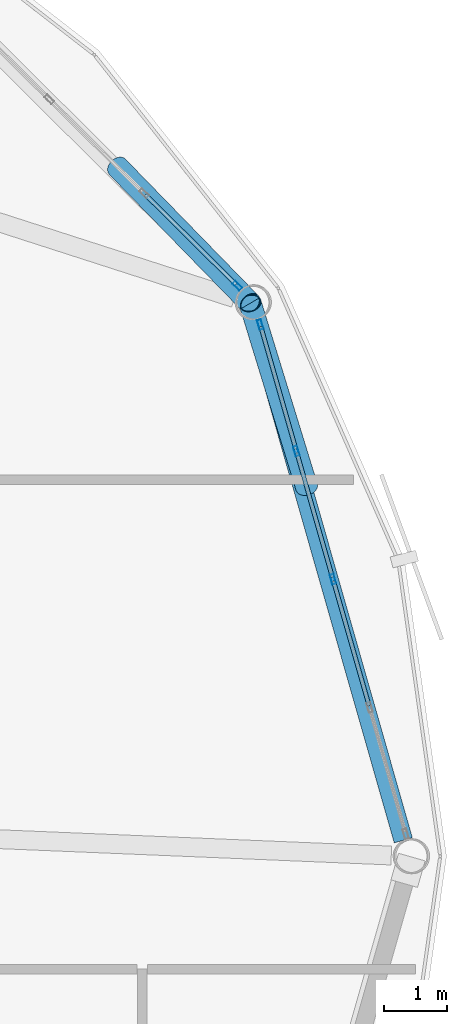
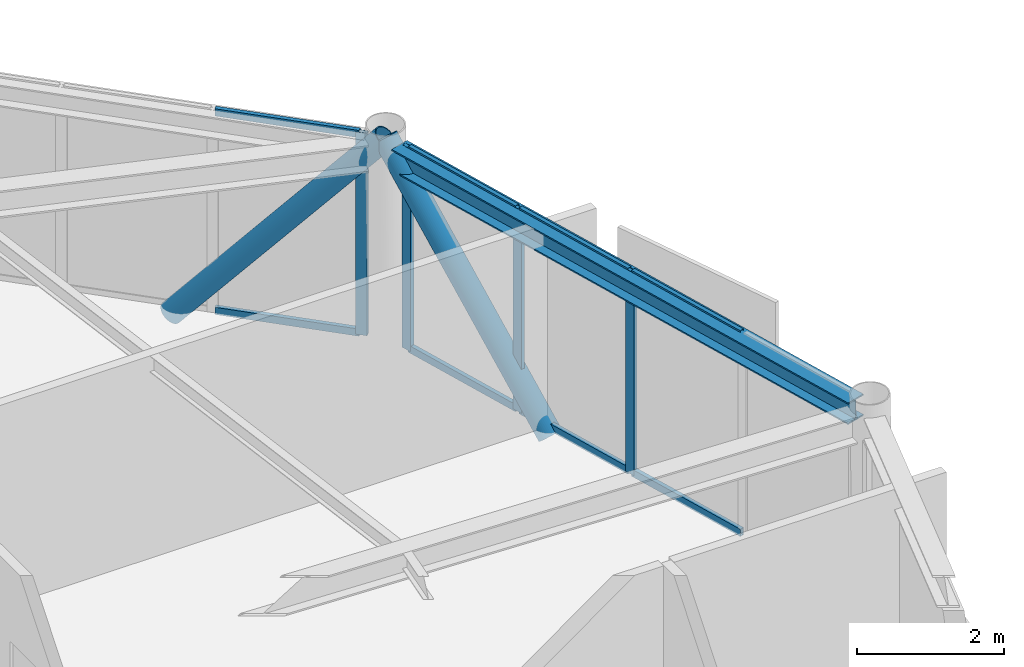
# One storey, part 15 of 25: 14 members, 1 beam, 2 elements without a shape of their own.
"""IFC4 building model written with IfcOpenShell, lengths in metres."""

from ifc_helpers import new_model, si_unit, direction, frame, origin, origin_2d, place, context, subcontext, project, spatial, hollow_rectangle, hollow_circle, i_section, extrude, material, layer, layer_set, material_profile, profile_set, type_object, element, aggregate, save


model = new_model("IFC4")

# Units and contexts
model_context = context("Model", 3, precision=1e-05, world=origin(), true_north=direction((0.0, 1.0)))
body_context = subcontext(model_context, "Body", "Model", "MODEL_VIEW")
ifc_project = project(units=[si_unit("LENGTHUNIT", "METRE"), si_unit("AREAUNIT", "SQUARE_METRE"), si_unit("VOLUMEUNIT", "CUBIC_METRE"), si_unit("PLANEANGLEUNIT", "RADIAN"), si_unit("MASSUNIT", "GRAM", prefix="KILO")], contexts=[model_context])

# Site, building, storey
site_placement = place(None, origin())
site = spatial("IfcSite", under=ifc_project, at=site_placement, CompositionType="ELEMENT")
building_placement = place(site_placement, origin())
building = spatial("IfcBuilding", under=site, at=building_placement, Name="Varnakorn Sky Granary", CompositionType="ELEMENT")
storey_placement = place(building_placement, frame((0.0, 0.0, 277.800048828125)))
storey = spatial("IfcBuildingStorey", under=building, at=storey_placement, Name="L71", CompositionType="ELEMENT", Elevation=277.800048828125)

# Beam
ifc_material_1 = material(Name="Steel S355JR", Category="steel")
ifc_material_profile_1 = material_profile(ifc_material_1, i_section(OverallWidth=0.300048828125, OverallDepth=0.360107421875, WebThickness=0.012451171875, FlangeThickness=0.0224609375, at=origin_2d()), Name="HE 360 B")
ifc_profile_set_1 = profile_set([ifc_material_profile_1], Name="Steel S355JR")
beam_type = type_object("IfcBeamType", Name="BM-SPD-Z5", PredefinedType="SPANDREL", material=ifc_profile_set_1)
beam_placement = place(storey_placement, frame((22.66259765625, 0.25439453125, 3.179931640625), z_axis=(-0.274138779238, 0.961690142259, 0.0), x_axis=(-0.961690142259, -0.274138779238, 0.0)))
element("IfcBeam", 1, at=beam_placement, inside=storey, type_object=beam_type, Name="Perimeter Spandrel Ring Beam RB01 L71", PredefinedType="SPANDREL", context=body_context, shape_type="SweptSolid", body=[
    extrude(i_section(OverallWidth=0.300048828125, OverallDepth=0.360107421875, WebThickness=0.012451171875, FlangeThickness=0.0224609375, at=origin_2d()), origin(), (0.0, 0.0, 1.0), 8.638671875),
])

# Curtain wall, members
ifc_material_2 = material(Name="Anodised Bronze Aluminium Alloy 6063-T6", Category="aluminium")
ifc_layer = layer(ifc_material_2, 0.159912109375, Name="Anodised Bronze Aluminium Alloy 6063-T6")
ifc_layer_set = layer_set([ifc_layer], Name="Anodised Bronze Aluminium Alloy 6063-T6")
curtain_wall_type = type_object("IfcCurtainWallType", Name="CW-OFF-1", PredefinedType="USERDEFINED", material=ifc_layer_set)
curtain_wall_1_placement = place(storey_placement, origin())
curtain_wall_1 = element("IfcCurtainWall", 2, at=curtain_wall_1_placement, inside=storey, type_object=curtain_wall_type, Name="Unitised Curtain Wall CW6 CW-L71-B01", ObjectType="CURTAIN WALL", PredefinedType="USERDEFINED")
ifc_material_profile_2 = material_profile(ifc_material_2, hollow_rectangle(XDim=0.06494140625, YDim=0.159912109375, WallThickness=0.00341796875, at=origin_2d()), Name="ALU MULL 65x160")
ifc_profile_set_2 = profile_set([ifc_material_profile_2], Name="Anodised Bronze Aluminium Alloy 6063-T6")
member_type_1 = type_object("IfcMemberType", Name="CW-OFF-1-MULL", PredefinedType="MULLION", material=ifc_profile_set_2)
member_1_placement = place(storey_placement, frame((20.3828125, 8.475830078125, 0.0), z_axis=(0.0, 0.0, 1.0), x_axis=(0.961570064627, 0.274559667128, 0.0)))
member_1 = element("IfcMember", 3, at=member_1_placement, type_object=member_type_1, Name="CW6 mullion 1", PredefinedType="MULLION", context=body_context, shape_type="SweptSolid", body=[
    extrude(hollow_rectangle(XDim=0.06494140625, YDim=0.159912109375, WallThickness=0.00341796875, at=origin_2d()), origin(), (0.0, 0.0, 1.0), 3.35986328125),
])
member_2_placement = place(storey_placement, frame((20.9580078125, 6.4619140625, 0.0), z_axis=(0.0, 0.0, 1.0), x_axis=(0.961570064627, 0.274559667128, 0.0)))
member_2 = element("IfcMember", 4, at=member_2_placement, type_object=member_type_1, Name="CW6 mullion 2", PredefinedType="MULLION", context=body_context, shape_type="SweptSolid", body=[
    extrude(hollow_rectangle(XDim=0.06494140625, YDim=0.159912109375, WallThickness=0.00341796875, at=origin_2d()), origin(), (0.0, 0.0, 1.0), 3.35986328125),
])
member_3_placement = place(storey_placement, frame((21.5419921875, 4.416748046875, 0.0), z_axis=(0.0, 0.0, 1.0), x_axis=(0.961570064627, 0.274559667128, 0.0)))
member_3 = element("IfcMember", 5, at=member_3_placement, type_object=member_type_1, Name="CW6 mullion 3", PredefinedType="MULLION", context=body_context, shape_type="SweptSolid", body=[
    extrude(hollow_rectangle(XDim=0.06494140625, YDim=0.159912109375, WallThickness=0.00341796875, at=origin_2d()), origin(), (0.0, 0.0, 1.0), 3.35986328125),
])

# Curtain wall, member
curtain_wall_2_placement = place(storey_placement, origin())
curtain_wall_2 = element("IfcCurtainWall", 6, at=curtain_wall_2_placement, inside=storey, type_object=curtain_wall_type, Name="Unitised Curtain Wall CW6 CW-L71-B02", ObjectType="CURTAIN WALL", PredefinedType="USERDEFINED")
member_4_placement = place(storey_placement, frame((20.0166015625, 9.095458984375, 0.0), z_axis=(0.0, 0.0, 1.0), x_axis=(0.704102293926, 0.71009855632, 0.0)))
member_4 = element("IfcMember", 7, at=member_4_placement, type_object=member_type_1, Name="CW6 mullion 5", PredefinedType="MULLION", context=body_context, shape_type="SweptSolid", body=[
    extrude(hollow_rectangle(XDim=0.06494140625, YDim=0.159912109375, WallThickness=0.00341796875, at=origin_2d()), origin(), (0.0, 0.0, 1.0), 3.35986328125),
])

# Member
ifc_material_profile_3 = material_profile(ifc_material_2, hollow_rectangle(XDim=0.06494140625, YDim=0.1201171875, WallThickness=0.00341796875, at=origin_2d()), Name="ALU TRAN 65x120")
ifc_profile_set_3 = profile_set([ifc_material_profile_3], Name="Anodised Bronze Aluminium Alloy 6063-T6")
member_type_2 = type_object("IfcMemberType", Name="CW-OFF-1-TRAN", PredefinedType="USERDEFINED", material=ifc_profile_set_3)
member_5_placement = place(storey_placement, frame((20.391845703125, 8.444580078125, 0.032470703125), z_axis=(0.274530454279, -0.96157840537, 0.0), x_axis=(0.96157840537, 0.274530454279, 0.0)))
member_5 = element("IfcMember", 8, at=member_5_placement, type_object=member_type_2, Name="CW6 transom 1.1", ObjectType="TRANSOM", PredefinedType="USERDEFINED", context=body_context, shape_type="SweptSolid", body=[
    extrude(hollow_rectangle(XDim=0.06494140625, YDim=0.1201171875, WallThickness=0.00341796875, at=origin_2d()), origin(), (0.0, 0.0, 1.0), 2.029296875),
])

member_6_placement = place(storey_placement, frame((20.391845703125, 8.444580078125, 3.327392578125), z_axis=(0.274530454279, -0.96157840537, 0.0), x_axis=(0.96157840537, 0.274530454279, 0.0)))
member_6 = element("IfcMember", 9, at=member_6_placement, type_object=member_type_2, Name="CW6 transom 1.2", ObjectType="TRANSOM", PredefinedType="USERDEFINED", context=body_context, shape_type="SweptSolid", body=[
    extrude(hollow_rectangle(XDim=0.06494140625, YDim=0.1201171875, WallThickness=0.00341796875, at=origin_2d()), origin(), (0.0, 0.0, 1.0), 2.029296875),
])

member_7_placement = place(storey_placement, frame((20.966796875, 6.4306640625, 0.032470703125), z_axis=(0.274580379806, -0.961564150239, 0.0), x_axis=(0.961564150239, 0.274580379806, 0.0)))
member_7 = element("IfcMember", 10, at=member_7_placement, type_object=member_type_2, Name="CW6 transom 2.1", ObjectType="TRANSOM", PredefinedType="USERDEFINED", context=body_context, shape_type="SweptSolid", body=[
    extrude(hollow_rectangle(XDim=0.06494140625, YDim=0.1201171875, WallThickness=0.00341796875, at=origin_2d()), origin(), (0.0, 0.0, 1.0), 2.06201171875),
])

member_8_placement = place(storey_placement, frame((20.966796875, 6.4306640625, 3.327392578125), z_axis=(0.274580379806, -0.961564150239, 0.0), x_axis=(0.961564150239, 0.274580379806, 0.0)))
member_8 = element("IfcMember", 11, at=member_8_placement, type_object=member_type_2, Name="CW6 transom 2.2", ObjectType="TRANSOM", PredefinedType="USERDEFINED", context=body_context, shape_type="SweptSolid", body=[
    extrude(hollow_rectangle(XDim=0.06494140625, YDim=0.1201171875, WallThickness=0.00341796875, at=origin_2d()), origin(), (0.0, 0.0, 1.0), 2.06201171875),
])

member_9_placement = place(storey_placement, frame((21.55078125, 4.385498046875, 0.032470703125), z_axis=(0.274580379806, -0.961564150239, 0.0), x_axis=(0.961564150239, 0.274580379806, 0.0)))
member_9 = element("IfcMember", 12, at=member_9_placement, type_object=member_type_2, Name="CW6 transom 3.1", ObjectType="TRANSOM", PredefinedType="USERDEFINED", context=body_context, shape_type="SweptSolid", body=[
    extrude(hollow_rectangle(XDim=0.06494140625, YDim=0.1201171875, WallThickness=0.00341796875, at=origin_2d()), origin(), (0.0, 0.0, 1.0), 2.06201171875),
])

member_10_placement = place(storey_placement, frame((21.55078125, 4.385498046875, 3.327392578125), z_axis=(0.274580379806, -0.961564150239, 0.0), x_axis=(0.961564150239, 0.274580379806, 0.0)))
member_10 = element("IfcMember", 13, at=member_10_placement, type_object=member_type_2, Name="CW6 transom 3.2", ObjectType="TRANSOM", PredefinedType="USERDEFINED", context=body_context, shape_type="SweptSolid", body=[
    extrude(hollow_rectangle(XDim=0.06494140625, YDim=0.1201171875, WallThickness=0.00341796875, at=origin_2d()), origin(), (0.0, 0.0, 1.0), 2.06201171875),
])

aggregate(curtain_wall_1, [member_1, member_2, member_3, member_5, member_6, member_7, member_8, member_9, member_10])

member_11_placement = place(storey_placement, frame((18.552978515625, 10.546875, 0.032470703125), z_axis=(0.710048643289, -0.704152628457, 0.0), x_axis=(0.704152628457, 0.710048643289, 0.0)))
member_11 = element("IfcMember", 14, at=member_11_placement, type_object=member_type_2, Name="CW6 transom 4.1", ObjectType="TRANSOM", PredefinedType="USERDEFINED", context=body_context, shape_type="SweptSolid", body=[
    extrude(hollow_rectangle(XDim=0.06494140625, YDim=0.1201171875, WallThickness=0.00341796875, at=origin_2d()), origin(), (0.0, 0.0, 1.0), 2.029052734375),
])

member_12_placement = place(storey_placement, frame((18.552978515625, 10.546875, 3.327392578125), z_axis=(0.710048643289, -0.704152628457, 0.0), x_axis=(0.704152628457, 0.710048643289, 0.0)))
member_12 = element("IfcMember", 15, at=member_12_placement, type_object=member_type_2, Name="CW6 transom 4.2", ObjectType="TRANSOM", PredefinedType="USERDEFINED", context=body_context, shape_type="SweptSolid", body=[
    extrude(hollow_rectangle(XDim=0.06494140625, YDim=0.1201171875, WallThickness=0.00341796875, at=origin_2d()), origin(), (0.0, 0.0, 1.0), 2.029052734375),
])

aggregate(curtain_wall_2, [member_4, member_11, member_12])

# Members
ifc_material_3 = material(Name="Steel S460M", Category="steel")
ifc_material_profile_4 = material_profile(ifc_material_3, hollow_circle(Radius=0.177734375, WallThickness=0.01416015625, at=origin_2d()), Name="CHS 355.6x14")
ifc_profile_set_4 = profile_set([ifc_material_profile_4], Name="Steel S460M")
member_type_3 = type_object("IfcMemberType", Name="MB-DIAG-T5", PredefinedType="BRACE", material=ifc_profile_set_4)
member_13_placement = place(storey_placement, frame((21.12158203125, 5.888916015625, -0.130126953125), z_axis=(-0.193756836772, 0.630485272655, 0.751629303027), x_axis=(-0.95588064399, -0.293755330923, 0.0)))
element("IfcMember", 16, at=member_13_placement, inside=storey, type_object=member_type_3, Name="Perimeter CHS Diagrid Brace DG01 L71", PredefinedType="BRACE", context=body_context, shape_type="SweptSolid", body=[
    extrude(hollow_circle(Radius=0.177734375, WallThickness=0.01416015625, at=origin_2d()), origin(), (0.0, 0.0, 1.0), 4.643310546875),
])
member_14_placement = place(storey_placement, frame((18.10693359375, 10.989013671875, -0.130126953125), z_axis=(0.457479005261, -0.469941783195, 0.754895807481), x_axis=(0.716544261542, 0.697541626895, 0.0)))
element("IfcMember", 17, at=member_14_placement, inside=storey, type_object=member_type_3, Name="Perimeter CHS Diagrid Brace DG02 L71", PredefinedType="BRACE", context=body_context, shape_type="SweptSolid", body=[
    extrude(hollow_circle(Radius=0.177734375, WallThickness=0.01416015625, at=origin_2d()), origin(), (0.0, 0.0, 1.0), 4.623046875),
])

save(model, "model.ifc")
